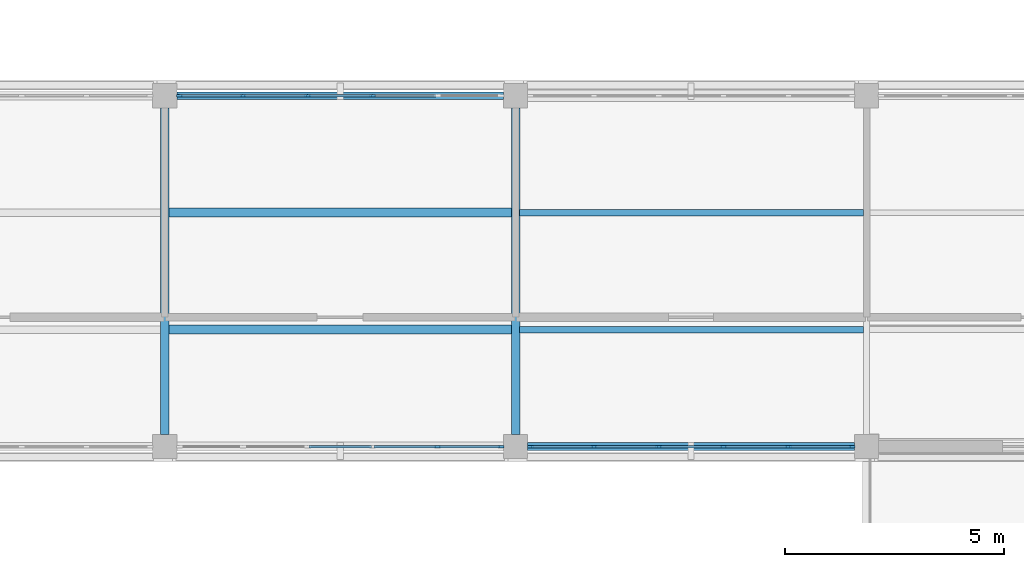
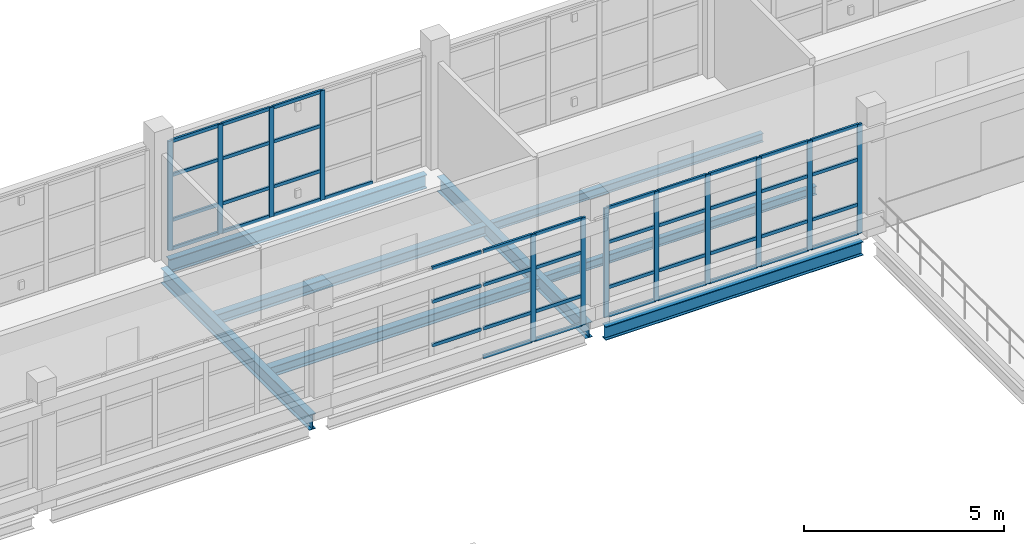
# One storey, part 38 of 92: 56 members, 8 beams, 3 elements without a shape of their own.
"""IFC4 building model written with IfcOpenShell, lengths in metres."""

from ifc_helpers import new_model, si_unit, derived_unit, direction, frame, origin, origin_2d, place, context, subcontext, project, spatial, rectangle, i_section, extrude, material, layer, layer_set, material_profile, profile_set, type_object, element, aggregate, save


model = new_model("IFC4")

# Units and contexts
model_context = context("Model", 3, precision=1e-05, world=origin(), true_north=direction((0.0, 1.0)))
body_context = subcontext(model_context, "Body", "Model", "MODEL_VIEW")
ifc_project = project(units=[si_unit("LENGTHUNIT", "METRE"), si_unit("AREAUNIT", "SQUARE_METRE"), si_unit("VOLUMEUNIT", "CUBIC_METRE"), si_unit("PLANEANGLEUNIT", "RADIAN"), si_unit("MASSUNIT", "GRAM", prefix="KILO"), derived_unit("THERMALTRANSMITTANCEUNIT", [(si_unit("MASSUNIT", "GRAM", prefix="KILO"), 1), (si_unit("TIMEUNIT", "SECOND"), -3), (si_unit("THERMODYNAMICTEMPERATUREUNIT", "KELVIN"), -1)])], contexts=[model_context])

# Site, building, storey
site_placement = place(None, origin())
site = spatial("IfcSite", under=ifc_project, at=site_placement, CompositionType="ELEMENT")
building_placement = place(site_placement, origin())
building = spatial("IfcBuilding", under=site, at=building_placement, Name="Veyamyaing Civic Hall", CompositionType="ELEMENT")
storey_placement = place(building_placement, frame((0.0, 0.0, 17.820068359375)))
storey = spatial("IfcBuildingStorey", under=building, at=storey_placement, Name="L04", CompositionType="ELEMENT", Elevation=17.820068359375)

# Beams
ifc_material_1 = material(Name="Steel ASTM A992", Category="steel")
ifc_material_profile_1 = material_profile(ifc_material_1, i_section(OverallWidth=0.19189453125, OverallDepth=0.462890625, WebThickness=0.010498046875, FlangeThickness=0.017578125, FilletRadius=0.010009765625, at=origin_2d()), Name="W460X89")
ifc_profile_set_1 = profile_set([ifc_material_profile_1], Name="Steel ASTM A992")
beam_type_1 = type_object("IfcBeamType", Name="B-08", PredefinedType="BEAM", material=ifc_profile_set_1)
beam_1_placement = place(storey_placement, frame((144.0, 48.27490234375, -0.466552734375), z_axis=(0.0, 1.0, 0.0), x_axis=(-1.0, 0.0, 0.0)))
element("IfcBeam", 1, at=beam_1_placement, inside=storey, type_object=beam_type_1, Name="Girder B-08 L04 Grid 19 G-H", PredefinedType="BEAM", context=body_context, shape_type="SweptSolid", body=[
    extrude(i_section(OverallWidth=0.19189453125, OverallDepth=0.462890625, WebThickness=0.010498046875, FlangeThickness=0.017578125, FilletRadius=0.010009765625, at=origin_2d()), origin(), (0.0, 0.0, 1.0), 7.4501953125),
])
ifc_material_profile_2 = material_profile(ifc_material_1, i_section(OverallWidth=0.18994140625, OverallDepth=0.45703125, WebThickness=0.009033203125, FlangeThickness=0.014404296875, FilletRadius=0.010009765625, at=origin_2d()), Name="W460X74")
ifc_profile_set_2 = profile_set([ifc_material_profile_2], Name="Steel ASTM A992")
beam_type_2 = type_object("IfcBeamType", Name="B-09", PredefinedType="BEAM", material=ifc_profile_set_2)
beam_2_placement = place(storey_placement, frame((152.0, 48.27490234375, -0.463623046875), z_axis=(0.0, 1.0, 0.0), x_axis=(-1.0, 0.0, 0.0)))
element("IfcBeam", 2, at=beam_2_placement, inside=storey, type_object=beam_type_2, Name="Girder B-09 L04 Grid 20 G-H", PredefinedType="BEAM", context=body_context, shape_type="SweptSolid", body=[
    extrude(i_section(OverallWidth=0.18994140625, OverallDepth=0.45703125, WebThickness=0.009033203125, FlangeThickness=0.014404296875, FilletRadius=0.010009765625, at=origin_2d()), origin(), (0.0, 0.0, 1.0), 7.4501953125),
])
ifc_material_profile_3 = material_profile(ifc_material_1, i_section(OverallWidth=0.180908203125, OverallDepth=0.4169921875, WebThickness=0.010986328125, FlangeThickness=0.018310546875, FilletRadius=0.010009765625, at=origin_2d()), Name="W410X85")
ifc_profile_set_3 = profile_set([ifc_material_profile_3], Name="Steel ASTM A992")
beam_type_3 = type_object("IfcBeamType", Name="B-19", PredefinedType="SPANDREL", material=ifc_profile_set_3)
for number, where, z_axis, x_axis, name in (
    (3, (152.27490234375, 48.0, -0.443603515625), (1.0, 0.0, 0.0), (0.0, 1.0, 0.0), "Girder B-19 L04 Grid G 20-21"),
    (4, (144.27490234375, 56.0, -0.443603515625), (1.0, 0.0, 0.0), (0.0, 1.0, 0.0), "Girder B-19 L04 Grid H 19-20"),
):
    element("IfcBeam", number, at=place(storey_placement, frame(where, z_axis=z_axis, x_axis=x_axis)), inside=storey, type_object=beam_type_3, Name=name, PredefinedType="SPANDREL", context=body_context, shape_type="SweptSolid", body=[
        extrude(i_section(OverallWidth=0.180908203125, OverallDepth=0.4169921875, WebThickness=0.010986328125, FlangeThickness=0.018310546875, FilletRadius=0.010009765625, at=origin_2d()), origin(), (0.0, 0.0, 1.0), 7.4501953125),
    ])

# Curtain wall, members
ifc_material_2 = material(Name="Anodised aluminium 6063-T6", Category="aluminium")
ifc_layer = layer(ifc_material_2, 0.139892578125, Name="Anodised aluminium 6063-T6")
ifc_layer_set = layer_set([ifc_layer], Name="Anodised aluminium 6063-T6")
curtain_wall_type = type_object("IfcCurtainWallType", Name="CW-04", PredefinedType="NOTDEFINED", material=ifc_layer_set)
curtain_wall_1_placement = place(storey_placement, origin())
curtain_wall_1 = element("IfcCurtainWall", 5, at=curtain_wall_1_placement, inside=storey, type_object=curtain_wall_type, Name="Unitized curtain wall CW-04 L04 S 19.7", PredefinedType="NOTDEFINED")
ifc_material_profile_4 = material_profile(ifc_material_2, rectangle(XDim=0.06005859375, YDim=0.139892578125, at=origin_2d()), Name="ALU-MUL-60X140")
ifc_profile_set_4 = profile_set([ifc_material_profile_4], Name="Anodised aluminium 6063-T6")
member_type_1 = type_object("IfcMemberType", Name="CWM-03", PredefinedType="MULLION", material=ifc_profile_set_4)
member_1_placement = place(storey_placement, frame((150.217041015625, 48.0, 0.0), z_axis=(0.0, 0.0, 1.0), x_axis=(0.0, 1.0, 0.0)))
member_1 = element("IfcMember", 6, at=member_1_placement, type_object=member_type_1, Name="CW-04 mullion 5", PredefinedType="MULLION", context=body_context, shape_type="SweptSolid", body=[
    extrude(rectangle(XDim=0.06005859375, YDim=0.139892578125, at=origin_2d()), origin(), (0.0, 0.0, 1.0), 3.284912109375),
])
member_2_placement = place(storey_placement, frame((151.6650390625, 48.0, 0.0), z_axis=(0.0, 0.0, 1.0), x_axis=(0.0, 1.0, 0.0)))
member_2 = element("IfcMember", 7, at=member_2_placement, type_object=member_type_1, Name="CW-04 mullion 6", PredefinedType="MULLION", context=body_context, shape_type="SweptSolid", body=[
    extrude(rectangle(XDim=0.06005859375, YDim=0.139892578125, at=origin_2d()), origin(), (0.0, 0.0, 1.0), 3.284912109375),
])

curtain_wall_2_placement = place(storey_placement, origin())
curtain_wall_2 = element("IfcCurtainWall", 8, at=curtain_wall_2_placement, inside=storey, type_object=curtain_wall_type, Name="Unitized curtain wall CW-04 L04 N 19.7", PredefinedType="NOTDEFINED")
member_3_placement = place(storey_placement, frame((144.3349609375, 56.0, 0.0), z_axis=(0.0, 0.0, 1.0), x_axis=(0.0, 1.0, 0.0)))
member_3 = element("IfcMember", 9, at=member_3_placement, type_object=member_type_1, Name="CW-04 mullion 1", PredefinedType="MULLION", context=body_context, shape_type="SweptSolid", body=[
    extrude(rectangle(XDim=0.06005859375, YDim=0.139892578125, at=origin_2d()), origin(), (0.0, 0.0, 1.0), 3.348876953125),
])
member_4_placement = place(storey_placement, frame((145.782958984375, 56.0, 0.0), z_axis=(0.0, 0.0, 1.0), x_axis=(0.0, 1.0, 0.0)))
member_4 = element("IfcMember", 10, at=member_4_placement, type_object=member_type_1, Name="CW-04 mullion 2", PredefinedType="MULLION", context=body_context, shape_type="SweptSolid", body=[
    extrude(rectangle(XDim=0.06005859375, YDim=0.139892578125, at=origin_2d()), origin(), (0.0, 0.0, 1.0), 3.348876953125),
])
member_5_placement = place(storey_placement, frame((147.260986328125, 56.0, 0.0), z_axis=(0.0, 0.0, 1.0), x_axis=(0.0, 1.0, 0.0)))
member_5 = element("IfcMember", 11, at=member_5_placement, type_object=member_type_1, Name="CW-04 mullion 3", PredefinedType="MULLION", context=body_context, shape_type="SweptSolid", body=[
    extrude(rectangle(XDim=0.06005859375, YDim=0.139892578125, at=origin_2d()), origin(), (0.0, 0.0, 1.0), 3.348876953125),
])
member_6_placement = place(storey_placement, frame((148.739013671875, 56.0, 0.0), z_axis=(0.0, 0.0, 1.0), x_axis=(0.0, 1.0, 0.0)))
member_6 = element("IfcMember", 12, at=member_6_placement, type_object=member_type_1, Name="CW-04 mullion 4", PredefinedType="MULLION", context=body_context, shape_type="SweptSolid", body=[
    extrude(rectangle(XDim=0.06005859375, YDim=0.139892578125, at=origin_2d()), origin(), (0.0, 0.0, 1.0), 3.348876953125),
])

curtain_wall_3_placement = place(storey_placement, origin())
curtain_wall_3 = element("IfcCurtainWall", 13, at=curtain_wall_3_placement, inside=storey, type_object=curtain_wall_type, Name="Unitized curtain wall CW-04 L04 S 20.7", PredefinedType="NOTDEFINED")
member_7_placement = place(storey_placement, frame((152.3349609375, 48.0, 0.0), z_axis=(0.0, 0.0, 1.0), x_axis=(0.0, 1.0, 0.0)))
member_7 = element("IfcMember", 14, at=member_7_placement, type_object=member_type_1, Name="CW-04 mullion 1", PredefinedType="MULLION", context=body_context, shape_type="SweptSolid", body=[
    extrude(rectangle(XDim=0.06005859375, YDim=0.139892578125, at=origin_2d()), origin(), (0.0, 0.0, 1.0), 3.348876953125),
])
member_8_placement = place(storey_placement, frame((153.782958984375, 48.0, 0.0), z_axis=(0.0, 0.0, 1.0), x_axis=(0.0, 1.0, 0.0)))
member_8 = element("IfcMember", 15, at=member_8_placement, type_object=member_type_1, Name="CW-04 mullion 2", PredefinedType="MULLION", context=body_context, shape_type="SweptSolid", body=[
    extrude(rectangle(XDim=0.06005859375, YDim=0.139892578125, at=origin_2d()), origin(), (0.0, 0.0, 1.0), 3.348876953125),
])
member_9_placement = place(storey_placement, frame((155.260986328125, 48.0, 0.0), z_axis=(0.0, 0.0, 1.0), x_axis=(0.0, 1.0, 0.0)))
member_9 = element("IfcMember", 16, at=member_9_placement, type_object=member_type_1, Name="CW-04 mullion 3", PredefinedType="MULLION", context=body_context, shape_type="SweptSolid", body=[
    extrude(rectangle(XDim=0.06005859375, YDim=0.139892578125, at=origin_2d()), origin(), (0.0, 0.0, 1.0), 3.348876953125),
])
member_10_placement = place(storey_placement, frame((156.739013671875, 48.0, 0.0), z_axis=(0.0, 0.0, 1.0), x_axis=(0.0, 1.0, 0.0)))
member_10 = element("IfcMember", 17, at=member_10_placement, type_object=member_type_1, Name="CW-04 mullion 4", PredefinedType="MULLION", context=body_context, shape_type="SweptSolid", body=[
    extrude(rectangle(XDim=0.06005859375, YDim=0.139892578125, at=origin_2d()), origin(), (0.0, 0.0, 1.0), 3.348876953125),
])
member_11_placement = place(storey_placement, frame((158.217041015625, 48.0, 0.0), z_axis=(0.0, 0.0, 1.0), x_axis=(0.0, 1.0, 0.0)))
member_11 = element("IfcMember", 18, at=member_11_placement, type_object=member_type_1, Name="CW-04 mullion 5", PredefinedType="MULLION", context=body_context, shape_type="SweptSolid", body=[
    extrude(rectangle(XDim=0.06005859375, YDim=0.139892578125, at=origin_2d()), origin(), (0.0, 0.0, 1.0), 3.348876953125),
])
member_12_placement = place(storey_placement, frame((159.6650390625, 48.0, 0.0), z_axis=(0.0, 0.0, 1.0), x_axis=(0.0, 1.0, 0.0)))
member_12 = element("IfcMember", 19, at=member_12_placement, type_object=member_type_1, Name="CW-04 mullion 6", PredefinedType="MULLION", context=body_context, shape_type="SweptSolid", body=[
    extrude(rectangle(XDim=0.06005859375, YDim=0.139892578125, at=origin_2d()), origin(), (0.0, 0.0, 1.0), 3.348876953125),
])

# Member
ifc_material_profile_5 = material_profile(ifc_material_2, rectangle(XDim=0.06005859375, YDim=0.10009765625, at=origin_2d()), Name="ALU-TRN-60X100")
ifc_profile_set_5 = profile_set([ifc_material_profile_5], Name="Anodised aluminium 6063-T6")
member_type_2 = type_object("IfcMemberType", Name="CWT-03", PredefinedType="USERDEFINED", material=ifc_profile_set_5)
member_13_placement = place(storey_placement, frame((147.291015625, 48.0, 0.89990234375), z_axis=(1.0, 0.0, 0.0), x_axis=(0.0, 1.0, 0.0)))
member_13 = element("IfcMember", 20, at=member_13_placement, type_object=member_type_2, Name="CW-04 transom 3.2", ObjectType="TRANSOM", PredefinedType="USERDEFINED", context=body_context, shape_type="SweptSolid", body=[
    extrude(rectangle(XDim=0.06005859375, YDim=0.10009765625, at=origin_2d()), origin(), (0.0, 0.0, 1.0), 1.41796875),
])

member_14_placement = place(storey_placement, frame((147.291015625, 48.0, 2.233642578125), z_axis=(1.0, 0.0, 0.0), x_axis=(0.0, 1.0, 0.0)))
member_14 = element("IfcMember", 21, at=member_14_placement, type_object=member_type_2, Name="CW-04 transom 3.3", ObjectType="TRANSOM", PredefinedType="USERDEFINED", context=body_context, shape_type="SweptSolid", body=[
    extrude(rectangle(XDim=0.06005859375, YDim=0.10009765625, at=origin_2d()), origin(), (0.0, 0.0, 1.0), 1.41796875),
])

member_15_placement = place(storey_placement, frame((147.291015625, 48.0, 3.2548828125), z_axis=(1.0, 0.0, 0.0), x_axis=(0.0, 1.0, 0.0)))
member_15 = element("IfcMember", 22, at=member_15_placement, type_object=member_type_2, Name="CW-04 transom 3.4", ObjectType="TRANSOM", PredefinedType="USERDEFINED", context=body_context, shape_type="SweptSolid", body=[
    extrude(rectangle(XDim=0.06005859375, YDim=0.10009765625, at=origin_2d()), origin(), (0.0, 0.0, 1.0), 1.41796875),
])

member_16_placement = place(storey_placement, frame((148.76904296875, 48.0, 0.030029296875), z_axis=(1.0, 0.0, 0.0), x_axis=(0.0, 1.0, 0.0)))
member_16 = element("IfcMember", 23, at=member_16_placement, type_object=member_type_2, Name="CW-04 transom 4.1", ObjectType="TRANSOM", PredefinedType="USERDEFINED", context=body_context, shape_type="SweptSolid", body=[
    extrude(rectangle(XDim=0.06005859375, YDim=0.10009765625, at=origin_2d()), origin(), (0.0, 0.0, 1.0), 1.41796875),
])

member_17_placement = place(storey_placement, frame((148.76904296875, 48.0, 0.89990234375), z_axis=(1.0, 0.0, 0.0), x_axis=(0.0, 1.0, 0.0)))
member_17 = element("IfcMember", 24, at=member_17_placement, type_object=member_type_2, Name="CW-04 transom 4.2", ObjectType="TRANSOM", PredefinedType="USERDEFINED", context=body_context, shape_type="SweptSolid", body=[
    extrude(rectangle(XDim=0.06005859375, YDim=0.10009765625, at=origin_2d()), origin(), (0.0, 0.0, 1.0), 1.41796875),
])

member_18_placement = place(storey_placement, frame((148.76904296875, 48.0, 2.233642578125), z_axis=(1.0, 0.0, 0.0), x_axis=(0.0, 1.0, 0.0)))
member_18 = element("IfcMember", 25, at=member_18_placement, type_object=member_type_2, Name="CW-04 transom 4.3", ObjectType="TRANSOM", PredefinedType="USERDEFINED", context=body_context, shape_type="SweptSolid", body=[
    extrude(rectangle(XDim=0.06005859375, YDim=0.10009765625, at=origin_2d()), origin(), (0.0, 0.0, 1.0), 1.41796875),
])

member_19_placement = place(storey_placement, frame((148.76904296875, 48.0, 3.2548828125), z_axis=(1.0, 0.0, 0.0), x_axis=(0.0, 1.0, 0.0)))
member_19 = element("IfcMember", 26, at=member_19_placement, type_object=member_type_2, Name="CW-04 transom 4.4", ObjectType="TRANSOM", PredefinedType="USERDEFINED", context=body_context, shape_type="SweptSolid", body=[
    extrude(rectangle(XDim=0.06005859375, YDim=0.10009765625, at=origin_2d()), origin(), (0.0, 0.0, 1.0), 1.41796875),
])

member_20_placement = place(storey_placement, frame((150.2470703125, 48.0, 0.030029296875), z_axis=(1.0, 0.0, 0.0), x_axis=(0.0, 1.0, 0.0)))
member_20 = element("IfcMember", 27, at=member_20_placement, type_object=member_type_2, Name="CW-04 transom 5.1", ObjectType="TRANSOM", PredefinedType="USERDEFINED", context=body_context, shape_type="SweptSolid", body=[
    extrude(rectangle(XDim=0.06005859375, YDim=0.10009765625, at=origin_2d()), origin(), (0.0, 0.0, 1.0), 1.387939453125),
])

member_21_placement = place(storey_placement, frame((150.2470703125, 48.0, 0.89990234375), z_axis=(1.0, 0.0, 0.0), x_axis=(0.0, 1.0, 0.0)))
member_21 = element("IfcMember", 28, at=member_21_placement, type_object=member_type_2, Name="CW-04 transom 5.2", ObjectType="TRANSOM", PredefinedType="USERDEFINED", context=body_context, shape_type="SweptSolid", body=[
    extrude(rectangle(XDim=0.06005859375, YDim=0.10009765625, at=origin_2d()), origin(), (0.0, 0.0, 1.0), 1.387939453125),
])

member_22_placement = place(storey_placement, frame((150.2470703125, 48.0, 2.233642578125), z_axis=(1.0, 0.0, 0.0), x_axis=(0.0, 1.0, 0.0)))
member_22 = element("IfcMember", 29, at=member_22_placement, type_object=member_type_2, Name="CW-04 transom 5.3", ObjectType="TRANSOM", PredefinedType="USERDEFINED", context=body_context, shape_type="SweptSolid", body=[
    extrude(rectangle(XDim=0.06005859375, YDim=0.10009765625, at=origin_2d()), origin(), (0.0, 0.0, 1.0), 1.387939453125),
])

member_23_placement = place(storey_placement, frame((150.2470703125, 48.0, 3.2548828125), z_axis=(1.0, 0.0, 0.0), x_axis=(0.0, 1.0, 0.0)))
member_23 = element("IfcMember", 30, at=member_23_placement, type_object=member_type_2, Name="CW-04 transom 5.4", ObjectType="TRANSOM", PredefinedType="USERDEFINED", context=body_context, shape_type="SweptSolid", body=[
    extrude(rectangle(XDim=0.06005859375, YDim=0.10009765625, at=origin_2d()), origin(), (0.0, 0.0, 1.0), 1.387939453125),
])

aggregate(curtain_wall_1, [member_1, member_2, member_13, member_14, member_15, member_16, member_17, member_18, member_19, member_20, member_21, member_22, member_23])

member_24_placement = place(storey_placement, frame((144.364990234375, 56.0, 0.030029296875), z_axis=(1.0, 0.0, 0.0), x_axis=(0.0, 1.0, 0.0)))
member_24 = element("IfcMember", 31, at=member_24_placement, type_object=member_type_2, Name="CW-04 transom 1.1", ObjectType="TRANSOM", PredefinedType="USERDEFINED", context=body_context, shape_type="SweptSolid", body=[
    extrude(rectangle(XDim=0.06005859375, YDim=0.10009765625, at=origin_2d()), origin(), (0.0, 0.0, 1.0), 1.387939453125),
])

member_25_placement = place(storey_placement, frame((144.364990234375, 56.0, 0.89990234375), z_axis=(1.0, 0.0, 0.0), x_axis=(0.0, 1.0, 0.0)))
member_25 = element("IfcMember", 32, at=member_25_placement, type_object=member_type_2, Name="CW-04 transom 1.2", ObjectType="TRANSOM", PredefinedType="USERDEFINED", context=body_context, shape_type="SweptSolid", body=[
    extrude(rectangle(XDim=0.06005859375, YDim=0.10009765625, at=origin_2d()), origin(), (0.0, 0.0, 1.0), 1.387939453125),
])

member_26_placement = place(storey_placement, frame((144.364990234375, 56.0, 2.27734375), z_axis=(1.0, 0.0, 0.0), x_axis=(0.0, 1.0, 0.0)))
member_26 = element("IfcMember", 33, at=member_26_placement, type_object=member_type_2, Name="CW-04 transom 1.3", ObjectType="TRANSOM", PredefinedType="USERDEFINED", context=body_context, shape_type="SweptSolid", body=[
    extrude(rectangle(XDim=0.06005859375, YDim=0.10009765625, at=origin_2d()), origin(), (0.0, 0.0, 1.0), 1.387939453125),
])

member_27_placement = place(storey_placement, frame((144.364990234375, 56.0, 3.31884765625), z_axis=(1.0, 0.0, 0.0), x_axis=(0.0, 1.0, 0.0)))
member_27 = element("IfcMember", 34, at=member_27_placement, type_object=member_type_2, Name="CW-04 transom 1.4", ObjectType="TRANSOM", PredefinedType="USERDEFINED", context=body_context, shape_type="SweptSolid", body=[
    extrude(rectangle(XDim=0.06005859375, YDim=0.10009765625, at=origin_2d()), origin(), (0.0, 0.0, 1.0), 1.387939453125),
])

member_28_placement = place(storey_placement, frame((145.81298828125, 56.0, 0.030029296875), z_axis=(1.0, 0.0, 0.0), x_axis=(0.0, 1.0, 0.0)))
member_28 = element("IfcMember", 35, at=member_28_placement, type_object=member_type_2, Name="CW-04 transom 2.1", ObjectType="TRANSOM", PredefinedType="USERDEFINED", context=body_context, shape_type="SweptSolid", body=[
    extrude(rectangle(XDim=0.06005859375, YDim=0.10009765625, at=origin_2d()), origin(), (0.0, 0.0, 1.0), 1.41796875),
])

member_29_placement = place(storey_placement, frame((145.81298828125, 56.0, 0.89990234375), z_axis=(1.0, 0.0, 0.0), x_axis=(0.0, 1.0, 0.0)))
member_29 = element("IfcMember", 36, at=member_29_placement, type_object=member_type_2, Name="CW-04 transom 2.2", ObjectType="TRANSOM", PredefinedType="USERDEFINED", context=body_context, shape_type="SweptSolid", body=[
    extrude(rectangle(XDim=0.06005859375, YDim=0.10009765625, at=origin_2d()), origin(), (0.0, 0.0, 1.0), 1.41796875),
])

member_30_placement = place(storey_placement, frame((145.81298828125, 56.0, 2.27734375), z_axis=(1.0, 0.0, 0.0), x_axis=(0.0, 1.0, 0.0)))
member_30 = element("IfcMember", 37, at=member_30_placement, type_object=member_type_2, Name="CW-04 transom 2.3", ObjectType="TRANSOM", PredefinedType="USERDEFINED", context=body_context, shape_type="SweptSolid", body=[
    extrude(rectangle(XDim=0.06005859375, YDim=0.10009765625, at=origin_2d()), origin(), (0.0, 0.0, 1.0), 1.41796875),
])

member_31_placement = place(storey_placement, frame((145.81298828125, 56.0, 3.31884765625), z_axis=(1.0, 0.0, 0.0), x_axis=(0.0, 1.0, 0.0)))
member_31 = element("IfcMember", 38, at=member_31_placement, type_object=member_type_2, Name="CW-04 transom 2.4", ObjectType="TRANSOM", PredefinedType="USERDEFINED", context=body_context, shape_type="SweptSolid", body=[
    extrude(rectangle(XDim=0.06005859375, YDim=0.10009765625, at=origin_2d()), origin(), (0.0, 0.0, 1.0), 1.41796875),
])

member_32_placement = place(storey_placement, frame((147.291015625, 56.0, 0.030029296875), z_axis=(1.0, 0.0, 0.0), x_axis=(0.0, 1.0, 0.0)))
member_32 = element("IfcMember", 39, at=member_32_placement, type_object=member_type_2, Name="CW-04 transom 3.1", ObjectType="TRANSOM", PredefinedType="USERDEFINED", context=body_context, shape_type="SweptSolid", body=[
    extrude(rectangle(XDim=0.06005859375, YDim=0.10009765625, at=origin_2d()), origin(), (0.0, 0.0, 1.0), 1.41796875),
])

member_33_placement = place(storey_placement, frame((147.291015625, 56.0, 0.89990234375), z_axis=(1.0, 0.0, 0.0), x_axis=(0.0, 1.0, 0.0)))
member_33 = element("IfcMember", 40, at=member_33_placement, type_object=member_type_2, Name="CW-04 transom 3.2", ObjectType="TRANSOM", PredefinedType="USERDEFINED", context=body_context, shape_type="SweptSolid", body=[
    extrude(rectangle(XDim=0.06005859375, YDim=0.10009765625, at=origin_2d()), origin(), (0.0, 0.0, 1.0), 1.41796875),
])

member_34_placement = place(storey_placement, frame((147.291015625, 56.0, 2.27734375), z_axis=(1.0, 0.0, 0.0), x_axis=(0.0, 1.0, 0.0)))
member_34 = element("IfcMember", 41, at=member_34_placement, type_object=member_type_2, Name="CW-04 transom 3.3", ObjectType="TRANSOM", PredefinedType="USERDEFINED", context=body_context, shape_type="SweptSolid", body=[
    extrude(rectangle(XDim=0.06005859375, YDim=0.10009765625, at=origin_2d()), origin(), (0.0, 0.0, 1.0), 1.41796875),
])

member_35_placement = place(storey_placement, frame((147.291015625, 56.0, 3.31884765625), z_axis=(1.0, 0.0, 0.0), x_axis=(0.0, 1.0, 0.0)))
member_35 = element("IfcMember", 42, at=member_35_placement, type_object=member_type_2, Name="CW-04 transom 3.4", ObjectType="TRANSOM", PredefinedType="USERDEFINED", context=body_context, shape_type="SweptSolid", body=[
    extrude(rectangle(XDim=0.06005859375, YDim=0.10009765625, at=origin_2d()), origin(), (0.0, 0.0, 1.0), 1.41796875),
])

member_36_placement = place(storey_placement, frame((148.76904296875, 56.0, 0.030029296875), z_axis=(1.0, 0.0, 0.0), x_axis=(0.0, 1.0, 0.0)))
member_36 = element("IfcMember", 43, at=member_36_placement, type_object=member_type_2, Name="CW-04 transom 4.1", ObjectType="TRANSOM", PredefinedType="USERDEFINED", context=body_context, shape_type="SweptSolid", body=[
    extrude(rectangle(XDim=0.06005859375, YDim=0.10009765625, at=origin_2d()), origin(), (0.0, 0.0, 1.0), 1.41796875),
])

aggregate(curtain_wall_2, [member_3, member_4, member_5, member_6, member_24, member_25, member_26, member_27, member_28, member_29, member_30, member_31, member_32, member_33, member_34, member_35, member_36])

member_37_placement = place(storey_placement, frame((152.364990234375, 48.0, 0.030029296875), z_axis=(1.0, 0.0, 0.0), x_axis=(0.0, 1.0, 0.0)))
member_37 = element("IfcMember", 44, at=member_37_placement, type_object=member_type_2, Name="CW-04 transom 1.1", ObjectType="TRANSOM", PredefinedType="USERDEFINED", context=body_context, shape_type="SweptSolid", body=[
    extrude(rectangle(XDim=0.06005859375, YDim=0.10009765625, at=origin_2d()), origin(), (0.0, 0.0, 1.0), 1.387939453125),
])

member_38_placement = place(storey_placement, frame((152.364990234375, 48.0, 0.89990234375), z_axis=(1.0, 0.0, 0.0), x_axis=(0.0, 1.0, 0.0)))
member_38 = element("IfcMember", 45, at=member_38_placement, type_object=member_type_2, Name="CW-04 transom 1.2", ObjectType="TRANSOM", PredefinedType="USERDEFINED", context=body_context, shape_type="SweptSolid", body=[
    extrude(rectangle(XDim=0.06005859375, YDim=0.10009765625, at=origin_2d()), origin(), (0.0, 0.0, 1.0), 1.387939453125),
])

member_39_placement = place(storey_placement, frame((152.364990234375, 48.0, 2.27734375), z_axis=(1.0, 0.0, 0.0), x_axis=(0.0, 1.0, 0.0)))
member_39 = element("IfcMember", 46, at=member_39_placement, type_object=member_type_2, Name="CW-04 transom 1.3", ObjectType="TRANSOM", PredefinedType="USERDEFINED", context=body_context, shape_type="SweptSolid", body=[
    extrude(rectangle(XDim=0.06005859375, YDim=0.10009765625, at=origin_2d()), origin(), (0.0, 0.0, 1.0), 1.387939453125),
])

member_40_placement = place(storey_placement, frame((152.364990234375, 48.0, 3.31884765625), z_axis=(1.0, 0.0, 0.0), x_axis=(0.0, 1.0, 0.0)))
member_40 = element("IfcMember", 47, at=member_40_placement, type_object=member_type_2, Name="CW-04 transom 1.4", ObjectType="TRANSOM", PredefinedType="USERDEFINED", context=body_context, shape_type="SweptSolid", body=[
    extrude(rectangle(XDim=0.06005859375, YDim=0.10009765625, at=origin_2d()), origin(), (0.0, 0.0, 1.0), 1.387939453125),
])

member_41_placement = place(storey_placement, frame((153.81298828125, 48.0, 0.030029296875), z_axis=(1.0, 0.0, 0.0), x_axis=(0.0, 1.0, 0.0)))
member_41 = element("IfcMember", 48, at=member_41_placement, type_object=member_type_2, Name="CW-04 transom 2.1", ObjectType="TRANSOM", PredefinedType="USERDEFINED", context=body_context, shape_type="SweptSolid", body=[
    extrude(rectangle(XDim=0.06005859375, YDim=0.10009765625, at=origin_2d()), origin(), (0.0, 0.0, 1.0), 1.41796875),
])

member_42_placement = place(storey_placement, frame((153.81298828125, 48.0, 0.89990234375), z_axis=(1.0, 0.0, 0.0), x_axis=(0.0, 1.0, 0.0)))
member_42 = element("IfcMember", 49, at=member_42_placement, type_object=member_type_2, Name="CW-04 transom 2.2", ObjectType="TRANSOM", PredefinedType="USERDEFINED", context=body_context, shape_type="SweptSolid", body=[
    extrude(rectangle(XDim=0.06005859375, YDim=0.10009765625, at=origin_2d()), origin(), (0.0, 0.0, 1.0), 1.41796875),
])

member_43_placement = place(storey_placement, frame((153.81298828125, 48.0, 2.27734375), z_axis=(1.0, 0.0, 0.0), x_axis=(0.0, 1.0, 0.0)))
member_43 = element("IfcMember", 50, at=member_43_placement, type_object=member_type_2, Name="CW-04 transom 2.3", ObjectType="TRANSOM", PredefinedType="USERDEFINED", context=body_context, shape_type="SweptSolid", body=[
    extrude(rectangle(XDim=0.06005859375, YDim=0.10009765625, at=origin_2d()), origin(), (0.0, 0.0, 1.0), 1.41796875),
])

member_44_placement = place(storey_placement, frame((153.81298828125, 48.0, 3.31884765625), z_axis=(1.0, 0.0, 0.0), x_axis=(0.0, 1.0, 0.0)))
member_44 = element("IfcMember", 51, at=member_44_placement, type_object=member_type_2, Name="CW-04 transom 2.4", ObjectType="TRANSOM", PredefinedType="USERDEFINED", context=body_context, shape_type="SweptSolid", body=[
    extrude(rectangle(XDim=0.06005859375, YDim=0.10009765625, at=origin_2d()), origin(), (0.0, 0.0, 1.0), 1.41796875),
])

member_45_placement = place(storey_placement, frame((155.291015625, 48.0, 0.030029296875), z_axis=(1.0, 0.0, 0.0), x_axis=(0.0, 1.0, 0.0)))
member_45 = element("IfcMember", 52, at=member_45_placement, type_object=member_type_2, Name="CW-04 transom 3.1", ObjectType="TRANSOM", PredefinedType="USERDEFINED", context=body_context, shape_type="SweptSolid", body=[
    extrude(rectangle(XDim=0.06005859375, YDim=0.10009765625, at=origin_2d()), origin(), (0.0, 0.0, 1.0), 1.41796875),
])

member_46_placement = place(storey_placement, frame((155.291015625, 48.0, 0.89990234375), z_axis=(1.0, 0.0, 0.0), x_axis=(0.0, 1.0, 0.0)))
member_46 = element("IfcMember", 53, at=member_46_placement, type_object=member_type_2, Name="CW-04 transom 3.2", ObjectType="TRANSOM", PredefinedType="USERDEFINED", context=body_context, shape_type="SweptSolid", body=[
    extrude(rectangle(XDim=0.06005859375, YDim=0.10009765625, at=origin_2d()), origin(), (0.0, 0.0, 1.0), 1.41796875),
])

member_47_placement = place(storey_placement, frame((155.291015625, 48.0, 2.27734375), z_axis=(1.0, 0.0, 0.0), x_axis=(0.0, 1.0, 0.0)))
member_47 = element("IfcMember", 54, at=member_47_placement, type_object=member_type_2, Name="CW-04 transom 3.3", ObjectType="TRANSOM", PredefinedType="USERDEFINED", context=body_context, shape_type="SweptSolid", body=[
    extrude(rectangle(XDim=0.06005859375, YDim=0.10009765625, at=origin_2d()), origin(), (0.0, 0.0, 1.0), 1.41796875),
])

member_48_placement = place(storey_placement, frame((155.291015625, 48.0, 3.31884765625), z_axis=(1.0, 0.0, 0.0), x_axis=(0.0, 1.0, 0.0)))
member_48 = element("IfcMember", 55, at=member_48_placement, type_object=member_type_2, Name="CW-04 transom 3.4", ObjectType="TRANSOM", PredefinedType="USERDEFINED", context=body_context, shape_type="SweptSolid", body=[
    extrude(rectangle(XDim=0.06005859375, YDim=0.10009765625, at=origin_2d()), origin(), (0.0, 0.0, 1.0), 1.41796875),
])

member_49_placement = place(storey_placement, frame((156.76904296875, 48.0, 0.030029296875), z_axis=(1.0, 0.0, 0.0), x_axis=(0.0, 1.0, 0.0)))
member_49 = element("IfcMember", 56, at=member_49_placement, type_object=member_type_2, Name="CW-04 transom 4.1", ObjectType="TRANSOM", PredefinedType="USERDEFINED", context=body_context, shape_type="SweptSolid", body=[
    extrude(rectangle(XDim=0.06005859375, YDim=0.10009765625, at=origin_2d()), origin(), (0.0, 0.0, 1.0), 1.41796875),
])

member_50_placement = place(storey_placement, frame((156.76904296875, 48.0, 0.89990234375), z_axis=(1.0, 0.0, 0.0), x_axis=(0.0, 1.0, 0.0)))
member_50 = element("IfcMember", 57, at=member_50_placement, type_object=member_type_2, Name="CW-04 transom 4.2", ObjectType="TRANSOM", PredefinedType="USERDEFINED", context=body_context, shape_type="SweptSolid", body=[
    extrude(rectangle(XDim=0.06005859375, YDim=0.10009765625, at=origin_2d()), origin(), (0.0, 0.0, 1.0), 1.41796875),
])

member_51_placement = place(storey_placement, frame((156.76904296875, 48.0, 2.27734375), z_axis=(1.0, 0.0, 0.0), x_axis=(0.0, 1.0, 0.0)))
member_51 = element("IfcMember", 58, at=member_51_placement, type_object=member_type_2, Name="CW-04 transom 4.3", ObjectType="TRANSOM", PredefinedType="USERDEFINED", context=body_context, shape_type="SweptSolid", body=[
    extrude(rectangle(XDim=0.06005859375, YDim=0.10009765625, at=origin_2d()), origin(), (0.0, 0.0, 1.0), 1.41796875),
])

member_52_placement = place(storey_placement, frame((156.76904296875, 48.0, 3.31884765625), z_axis=(1.0, 0.0, 0.0), x_axis=(0.0, 1.0, 0.0)))
member_52 = element("IfcMember", 59, at=member_52_placement, type_object=member_type_2, Name="CW-04 transom 4.4", ObjectType="TRANSOM", PredefinedType="USERDEFINED", context=body_context, shape_type="SweptSolid", body=[
    extrude(rectangle(XDim=0.06005859375, YDim=0.10009765625, at=origin_2d()), origin(), (0.0, 0.0, 1.0), 1.41796875),
])

member_53_placement = place(storey_placement, frame((158.2470703125, 48.0, 0.030029296875), z_axis=(1.0, 0.0, 0.0), x_axis=(0.0, 1.0, 0.0)))
member_53 = element("IfcMember", 60, at=member_53_placement, type_object=member_type_2, Name="CW-04 transom 5.1", ObjectType="TRANSOM", PredefinedType="USERDEFINED", context=body_context, shape_type="SweptSolid", body=[
    extrude(rectangle(XDim=0.06005859375, YDim=0.10009765625, at=origin_2d()), origin(), (0.0, 0.0, 1.0), 1.387939453125),
])

member_54_placement = place(storey_placement, frame((158.2470703125, 48.0, 0.89990234375), z_axis=(1.0, 0.0, 0.0), x_axis=(0.0, 1.0, 0.0)))
member_54 = element("IfcMember", 61, at=member_54_placement, type_object=member_type_2, Name="CW-04 transom 5.2", ObjectType="TRANSOM", PredefinedType="USERDEFINED", context=body_context, shape_type="SweptSolid", body=[
    extrude(rectangle(XDim=0.06005859375, YDim=0.10009765625, at=origin_2d()), origin(), (0.0, 0.0, 1.0), 1.387939453125),
])

member_55_placement = place(storey_placement, frame((158.2470703125, 48.0, 2.27734375), z_axis=(1.0, 0.0, 0.0), x_axis=(0.0, 1.0, 0.0)))
member_55 = element("IfcMember", 62, at=member_55_placement, type_object=member_type_2, Name="CW-04 transom 5.3", ObjectType="TRANSOM", PredefinedType="USERDEFINED", context=body_context, shape_type="SweptSolid", body=[
    extrude(rectangle(XDim=0.06005859375, YDim=0.10009765625, at=origin_2d()), origin(), (0.0, 0.0, 1.0), 1.387939453125),
])

member_56_placement = place(storey_placement, frame((158.2470703125, 48.0, 3.31884765625), z_axis=(1.0, 0.0, 0.0), x_axis=(0.0, 1.0, 0.0)))
member_56 = element("IfcMember", 63, at=member_56_placement, type_object=member_type_2, Name="CW-04 transom 5.4", ObjectType="TRANSOM", PredefinedType="USERDEFINED", context=body_context, shape_type="SweptSolid", body=[
    extrude(rectangle(XDim=0.06005859375, YDim=0.10009765625, at=origin_2d()), origin(), (0.0, 0.0, 1.0), 1.387939453125),
])

aggregate(curtain_wall_3, [member_7, member_8, member_9, member_10, member_11, member_12, member_37, member_38, member_39, member_40, member_41, member_42, member_43, member_44, member_45, member_46, member_47, member_48, member_49, member_50, member_51, member_52, member_53, member_54, member_55, member_56])

# Beams
ifc_material_profile_6 = material_profile(ifc_material_1, i_section(OverallWidth=0.2041015625, OverallDepth=0.305908203125, WebThickness=0.008544921875, FlangeThickness=0.0146484375, FilletRadius=0.010009765625, at=origin_2d()), Name="W310X67")
ifc_profile_set_6 = profile_set([ifc_material_profile_6], Name="Steel ASTM A992")
beam_type_4 = type_object("IfcBeamType", Name="J-06", PredefinedType="JOIST", material=ifc_profile_set_6)
for number, where, z_axis, x_axis, name in (
    (64, (144.093994140625, 50.666748046875, -0.38818359375), (1.0, 0.0, 0.0), (0.0, 1.0, 0.0), "Composite floor joist J-06 L04 19.7.1"),
    (65, (144.093994140625, 53.333251953125, -0.38818359375), (1.0, 0.0, 0.0), (0.0, 1.0, 0.0), "Composite floor joist J-06 L04 19.7.2"),
):
    element("IfcBeam", number, at=place(storey_placement, frame(where, z_axis=z_axis, x_axis=x_axis)), inside=storey, type_object=beam_type_4, Name=name, PredefinedType="JOIST", context=body_context, shape_type="SweptSolid", body=[
        extrude(i_section(OverallWidth=0.2041015625, OverallDepth=0.305908203125, WebThickness=0.008544921875, FlangeThickness=0.0146484375, FilletRadius=0.010009765625, at=origin_2d()), origin(), (0.0, 0.0, 1.0), 7.81298828125),
    ])
ifc_material_profile_7 = material_profile(ifc_material_1, i_section(OverallWidth=0.14794921875, OverallDepth=0.26611328125, WebThickness=0.007568359375, FlangeThickness=0.012939453125, FilletRadius=0.010009765625, at=origin_2d()), Name="W250X45")
ifc_profile_set_7 = profile_set([ifc_material_profile_7], Name="Steel ASTM A992")
beam_type_5 = type_object("IfcBeamType", Name="J-07", PredefinedType="JOIST", material=ifc_profile_set_7)
for number, where, z_axis, x_axis, name in (
    (66, (152.093017578125, 50.666748046875, -0.3681640625), (1.0, 0.0, 0.0), (0.0, 1.0, 0.0), "Composite floor joist J-07 L04 20.7.1"),
    (67, (152.093017578125, 53.333251953125, -0.3681640625), (1.0, 0.0, 0.0), (0.0, 1.0, 0.0), "Composite floor joist J-07 L04 20.7.2"),
):
    element("IfcBeam", number, at=place(storey_placement, frame(where, z_axis=z_axis, x_axis=x_axis)), inside=storey, type_object=beam_type_5, Name=name, PredefinedType="JOIST", context=body_context, shape_type="SweptSolid", body=[
        extrude(i_section(OverallWidth=0.14794921875, OverallDepth=0.26611328125, WebThickness=0.007568359375, FlangeThickness=0.012939453125, FilletRadius=0.010009765625, at=origin_2d()), origin(), (0.0, 0.0, 1.0), 7.8359375),
    ])

save(model, "model.ifc")
